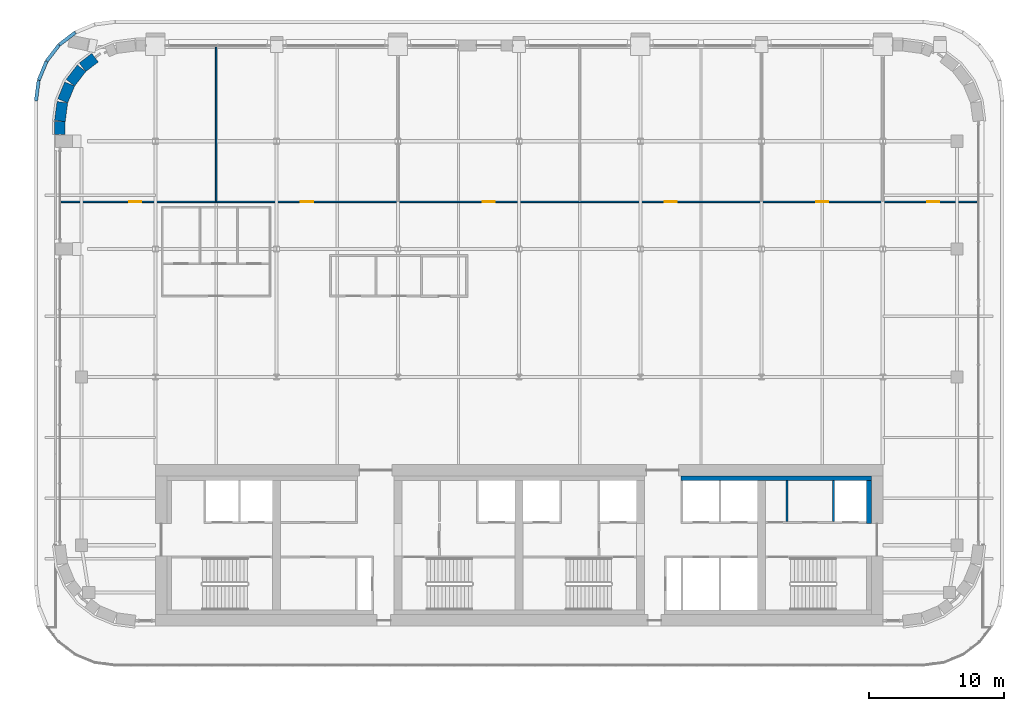
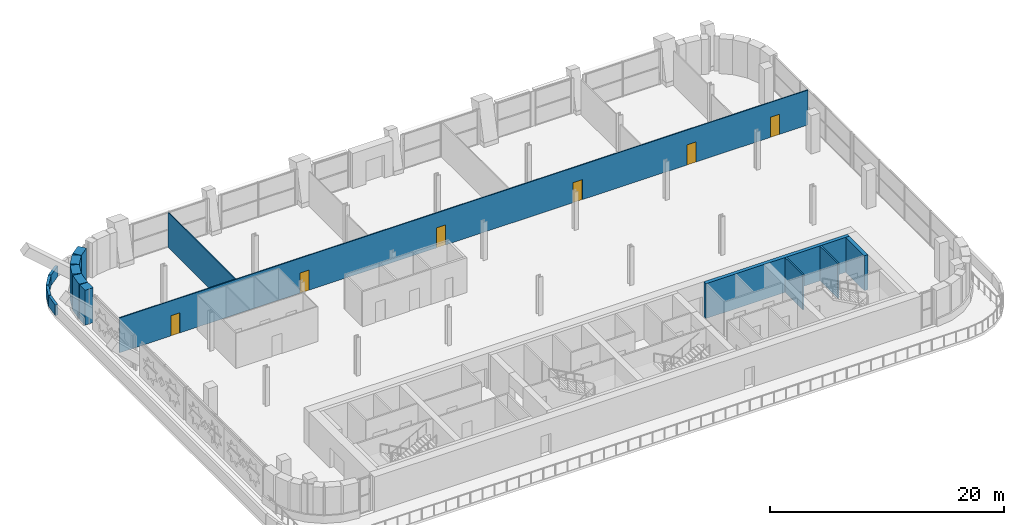
# One storey, part 15 of 23: 15 walls, 6 doors, 6 openings.
"""IFC4 building model written with IfcOpenShell, lengths in metres."""

import ifcopenshell
import ifcopenshell.guid

model = None  # the IFC model being written
_history = None  # IfcOwnerHistory: only IFC2X3 demands one
_inside = {}  # id of a spatial element -> (the spatial element, [elements in it])
_under = {}  # id of a project, library or spatial element -> (it, [spatial elements below it])
_declared = {}  # id of a project -> (the project, [libraries it declares])
_typed = {}  # id of a type object -> (the type object, [elements of that type])
_made_of = {}  # id of a material, layer set ... -> (it, [elements and type objects made of it])


def new_model(schema):
    """Start an empty IFC model of exactly this schema.

    Asked for "IFC4X3", IfcOpenShell would pick the latest addendum, in which some entities
    have other attributes; the version numbers below select the first issue.
    IFC2X3 requires an IfcOwnerHistory on every rooted entity: one is made here for all.
    """
    global model, _history
    if schema == "IFC4X3":
        model = ifcopenshell.file(schema_version=(4, 3, 0, 0))
    else:
        model = ifcopenshell.file(schema=schema)
    _inside.clear()
    _under.clear()
    _declared.clear()
    _typed.clear()
    _made_of.clear()
    _history = None
    if model.schema == "IFC2X3":
        org = make("IfcOrganization", Name="unknown")
        user = make(
            "IfcPersonAndOrganization",
            ThePerson=make("IfcPerson", FamilyName="unknown"),
            TheOrganization=org,
        )
        app = make(
            "IfcApplication",
            ApplicationDeveloper=org,
            Version="unknown",
            ApplicationFullName="unknown",
            ApplicationIdentifier="unknown",
        )
        _history = make(
            "IfcOwnerHistory",
            OwningUser=user,
            OwningApplication=app,
            ChangeAction="ADDED",
            CreationDate=0,
        )
    return model


def make(cls, **values):
    """One entity of the class cls with the attributes given. An attribute that is None is left unset."""
    return model.create_entity(
        cls, **{name: value for name, value in values.items() if value is not None}
    )


def rooted(cls, **values):
    """An entity with a GlobalId (a new one), such as an element, a storey or a relation."""
    return make(cls, GlobalId=ifcopenshell.guid.new(), OwnerHistory=_history, **values)


def si_unit(unit_type, name, prefix=None):
    """IfcSIUnit, for example si_unit("LENGTHUNIT", "METRE", prefix="MILLI")."""
    return make("IfcSIUnit", UnitType=unit_type, Prefix=prefix, Name=name)


def assignment(units):
    """IfcUnitAssignment: the units of a project."""
    return None if units is None else make("IfcUnitAssignment", Units=units)


def point(xyz):
    """IfcCartesianPoint."""
    return None if xyz is None else make("IfcCartesianPoint", Coordinates=xyz)


def direction(xyz):
    """IfcDirection."""
    return None if xyz is None else make("IfcDirection", DirectionRatios=xyz)


def frame(location, z_axis=None, x_axis=None):
    """IfcAxis2Placement3D, a coordinate frame: its origin and axes. An axis left out is left unset."""
    return make(
        "IfcAxis2Placement3D",
        Location=point(location),
        Axis=direction(z_axis),
        RefDirection=direction(x_axis),
    )


def frame_2d(location, x_axis=None):
    """IfcAxis2Placement2D, a coordinate frame in the plane: its origin and x axis."""
    return make(
        "IfcAxis2Placement2D", Location=point(location), RefDirection=direction(x_axis)
    )


def origin():
    """The frame at (0, 0, 0) with its axes left unset."""
    return frame((0.0, 0.0, 0.0))


def place(relative_to, where):
    """IfcLocalPlacement: puts the frame where relative to a parent placement (None: the world)."""
    return make(
        "IfcLocalPlacement", PlacementRelTo=relative_to, RelativePlacement=where
    )


def context(
    kind, dimensions, precision=None, world=None, true_north=None, identifier=None
):
    """IfcGeometricRepresentationContext, for example the 3D "Model" context."""
    return make(
        "IfcGeometricRepresentationContext",
        ContextIdentifier=identifier,
        ContextType=kind,
        CoordinateSpaceDimension=dimensions,
        Precision=precision,
        WorldCoordinateSystem=world,
        TrueNorth=true_north,
    )


def subcontext(parent, identifier, kind, view, scale=None):
    """IfcGeometricRepresentationSubContext, for example "Body" below "Model"."""
    return make(
        "IfcGeometricRepresentationSubContext",
        ContextIdentifier=identifier,
        ContextType=kind,
        ParentContext=parent,
        TargetScale=scale,
        TargetView=view,
    )


def project(units=None, contexts=None):
    """IfcProject with its units and contexts."""
    return rooted(
        "IfcProject",
        Name="project",
        RepresentationContexts=contexts,
        UnitsInContext=assignment(units),
    )


def spatial(cls, under=None, at=None, **own):
    """A site, building, storey or space (cls), placed at a placement, below another one or the project."""
    s = rooted(cls, ObjectPlacement=at, **own)
    if under is not None:
        _under.setdefault(under.id(), (under, []))[1].append(s)
    return s


def profile(cls, at=None, kind="AREA", **sizes):
    """A parametric profile (cls). Its sizes go by their IFC names, for example OverallWidth=200.0."""
    return make(cls, ProfileType=kind, Position=at, **sizes)


def rectangle(**sizes):
    """IfcRectangleProfileDef."""
    return profile("IfcRectangleProfileDef", **sizes)


def extrude(swept, where, along, depth):
    """IfcExtrudedAreaSolid: the profile swept, set in the frame where, extruded along a direction by depth."""
    return make(
        "IfcExtrudedAreaSolid",
        SweptArea=swept,
        Position=where,
        ExtrudedDirection=direction(along),
        Depth=depth,
    )


def shape(context_of_items, identifier, shape_type, items):
    """IfcShapeRepresentation: the items that make up one representation, for example the "Body"."""
    return make(
        "IfcShapeRepresentation",
        ContextOfItems=context_of_items,
        RepresentationIdentifier=identifier,
        RepresentationType=shape_type,
        Items=items,
    )


def material(Name=None, Category=None):
    """IfcMaterial."""
    return make("IfcMaterial", Name=Name, Category=Category)


def layer(
    of_material, thickness, ventilated=None, Name=None, Category=None, Priority=None
):
    """IfcMaterialLayer: one layer of a wall or slab, of a material (None: an air gap)."""
    return make(
        "IfcMaterialLayer",
        Material=of_material,
        LayerThickness=thickness,
        IsVentilated=ventilated,
        Name=Name,
        Category=Category,
        Priority=Priority,
    )


def layer_set(layers, Name=None):
    """IfcMaterialLayerSet."""
    return make("IfcMaterialLayerSet", MaterialLayers=layers, LayerSetName=Name)


def made_of(thing, what):
    """Note that an element or type object is made of a material, layer set ...; save() writes the relation."""
    if what is not None:
        _made_of.setdefault(what.id(), (what, []))[1].append(thing)
    return thing


def type_object(cls, material=None, **own):
    """A type object (cls), such as IfcWallType, which elements share."""
    return made_of(rooted(cls, **own), material)


def element(
    cls,
    number,
    at=None,
    inside=None,
    cuts=None,
    type_object=None,
    material=None,
    context=None,
    identifier="Body",
    shape_type=None,
    held_by="IfcProductDefinitionShape",
    body=None,
    shapes=None,
    **own,
):
    """One element of the class cls, such as IfcWall. Its Tag is "e" and its number.

    at: its placement. inside: the storey or other place that contains it. cuts: it is an
    opening in that element (IfcRelVoidsElement). A single representation is given by context,
    identifier, shape_type and body (its items); several are given by shapes. held_by: the class
    of the entity that holds the representations. save() writes the other relations.
    """
    e = rooted(cls, Tag="e%d" % number, ObjectPlacement=at, **own)
    if body is not None:
        shapes = [shape(context, identifier, shape_type, body)]
    if shapes is not None:
        e.Representation = make(held_by, Representations=shapes)
    if inside is not None:
        _inside.setdefault(inside.id(), (inside, []))[1].append(e)
    if cuts is not None:
        rooted(
            "IfcRelVoidsElement", RelatingBuildingElement=cuts, RelatedOpeningElement=e
        )
    if type_object is not None:
        _typed.setdefault(type_object.id(), (type_object, []))[1].append(e)
    return made_of(e, material)


def fill(opening, filler):
    """IfcRelFillsElement: the door or window that sits in an opening."""
    return rooted(
        "IfcRelFillsElement",
        RelatingOpeningElement=opening,
        RelatedBuildingElement=filler,
    )


def aggregate(whole, parts):
    """IfcRelAggregates: a whole, such as a stair, and the parts it consists of."""
    return rooted("IfcRelAggregates", RelatingObject=whole, RelatedObjects=parts)


def save(model, path):
    """Write the relations noted so far, then the file.

    IfcRelAggregates (storeys below a building ...), IfcRelContainedInSpatialStructure (elements
    in a storey), IfcRelDefinesByType, IfcRelAssociatesMaterial and IfcRelDeclares: one each for
    every whole, place, type object, material and project.
    """
    for whole, parts in _under.values():
        aggregate(whole, parts)
    for where, things in _inside.values():
        rooted(
            "IfcRelContainedInSpatialStructure",
            RelatedElements=things,
            RelatingStructure=where,
        )
    for kind, things in _typed.values():
        rooted("IfcRelDefinesByType", RelatedObjects=things, RelatingType=kind)
    for what, things in _made_of.values():
        rooted("IfcRelAssociatesMaterial", RelatedObjects=things, RelatingMaterial=what)
    for by, libraries in _declared.values():
        rooted("IfcRelDeclares", RelatingContext=by, RelatedDefinitions=libraries)
    model.write(path)


model = new_model("IFC4")

# Units and contexts
model_context = context("Model", 3, precision=1e-05, world=origin(), true_north=direction((0.0, 1.0)))
body_context = subcontext(model_context, "Body", "Model", "MODEL_VIEW")
ifc_project = project(units=[si_unit("LENGTHUNIT", "METRE"), si_unit("AREAUNIT", "SQUARE_METRE"), si_unit("VOLUMEUNIT", "CUBIC_METRE"), si_unit("PLANEANGLEUNIT", "RADIAN"), si_unit("MASSUNIT", "GRAM", prefix="KILO")], contexts=[model_context])

# Site, building, storey
site_placement = place(None, origin())
site = spatial("IfcSite", under=ifc_project, at=site_placement, CompositionType="ELEMENT")
building_placement = place(site_placement, origin())
building = spatial("IfcBuilding", under=site, at=building_placement, Name="Zellij Exchange Tower", CompositionType="ELEMENT")
storey_placement = place(building_placement, frame((0.0, 0.0, 212.5)))
storey = spatial("IfcBuildingStorey", under=building, at=storey_placement, Name="L49", CompositionType="ELEMENT", Elevation=212.5)

# Walls
ifc_material_1 = material(Name="Concrete C30/37", Category="concrete")
ifc_layer_1 = layer(ifc_material_1, 0.35009765625)
ifc_layer_set_1 = layer_set([ifc_layer_1], Name="Concrete C30/37")
wall_type_1 = type_object("IfcWallType", Name="CORE-LW 350 C30/37", PredefinedType="SHEAR", material=ifc_layer_set_1)
wall_1_placement = place(storey_placement, frame((12.0, -3.02490234375, 0.0), z_axis=(0.0, 0.0, 1.0), x_axis=(1.0, 0.0, 0.0)))
element("IfcWall", 1, at=wall_1_placement, inside=storey, type_object=wall_type_1, Name="Core wall lining front.2 L49", PredefinedType="SHEAR", context=body_context, shape_type="SweptSolid", body=[
    extrude(rectangle(XDim=14.14990234375, YDim=0.35009765625, at=frame_2d((7.074951171875, 0.0))), origin(), (0.0, 0.0, 1.0), 3.64990234375),
])
wall_2_placement = place(storey_placement, frame((25.97509765625, -6.375, 0.0), z_axis=(0.0, 0.0, 1.0), x_axis=(0.0, 1.0, 0.0)))
element("IfcWall", 2, at=wall_2_placement, inside=storey, type_object=wall_type_1, Name="Core wall lining end e.1 L49", PredefinedType="SHEAR", context=body_context, shape_type="SweptSolid", body=[
    extrude(rectangle(XDim=3.175048828125, YDim=0.35009765625, at=frame_2d((1.58740234375, 0.0))), origin(), (0.0, 0.0, 1.0), 3.64990234375),
])
ifc_material_2 = material(Name="Gypsum board partition")
ifc_layer_2 = layer(ifc_material_2, 0.14990234375)
ifc_layer_set_2 = layer_set([ifc_layer_2], Name="Gypsum board partition")
wall_type_2 = type_object("IfcWallType", Name="CORE-PW 150 Lift lobby wall", PredefinedType="PARTITIONING", material=ifc_layer_set_2)
wall_3_placement = place(storey_placement, frame((19.875, -6.22509765625, 0.0), z_axis=(0.0, 0.0, 1.0), x_axis=(0.0, 1.0, 0.0)))
element("IfcWall", 3, at=wall_3_placement, inside=storey, type_object=wall_type_2, Name="Lift lobby wall L49", PredefinedType="PARTITIONING", context=body_context, shape_type="SweptSolid", body=[
    extrude(rectangle(XDim=3.025146484375, YDim=0.14990234375, at=frame_2d((1.5126953125, 0.0))), origin(), (0.0, 0.0, 1.0), 3.64990234375),
])
ifc_material_3 = material(Name="Gypsum shaft wall system")
ifc_layer_3 = layer(ifc_material_3, 0.14990234375)
ifc_layer_set_3 = layer_set([ifc_layer_3], Name="Gypsum shaft wall system")
wall_type_3 = type_object("IfcWallType", Name="CORE-PW 150 Lift shaft wall", PredefinedType="PARTITIONING", material=ifc_layer_set_3)
wall_4_placement = place(storey_placement, frame((23.324951171875, -6.22509765625, 0.0), z_axis=(0.0, 0.0, 1.0), x_axis=(0.0, 1.0, 0.0)))
element("IfcWall", 4, at=wall_4_placement, inside=storey, type_object=wall_type_3, Name="Lift shaft wall L49", PredefinedType="PARTITIONING", context=body_context, shape_type="SweptSolid", body=[
    extrude(rectangle(XDim=3.025146484375, YDim=0.14990234375, at=frame_2d((1.5126953125, 0.0))), origin(), (0.0, 0.0, 1.0), 3.64990234375),
])
ifc_material_4 = material(Name="Precast concrete C40/50", Category="concrete")
ifc_layer_4 = layer(ifc_material_4, 0.800048828125)
ifc_layer_set_4 = layer_set([ifc_layer_4], Name="Precast concrete C40/50")
wall_type_4 = type_object("IfcWallType", Name="ENV-EW1 Precast stone-piered wall 800", PredefinedType="SOLIDWALL", material=ifc_layer_set_4)
wall_5_placement = place(storey_placement, frame((-31.486572265625, 28.2021484375, 0.0), z_axis=(0.0, 0.0, 1.0), x_axis=(-0.793321035123, -0.608803527611, 0.0)))
element("IfcWall", 5, at=wall_5_placement, inside=storey, type_object=wall_type_4, Name="fac.L49.17", PredefinedType="SOLIDWALL", context=body_context, shape_type="SweptSolid", body=[
    extrude(rectangle(XDim=1.1708984375, YDim=0.800048828125, at=frame_2d((0.58544921875, 0.0))), origin(), (0.0, 0.0, 1.0), 3.64990234375),
])
wall_6_placement = place(storey_placement, frame((-32.4892578125, 27.41552734375, 0.0), z_axis=(0.0, 0.0, 1.0), x_axis=(-0.608866226366, -0.793272915452, 0.0)))
element("IfcWall", 6, at=wall_6_placement, inside=storey, type_object=wall_type_4, Name="fac.L49.18", PredefinedType="SOLIDWALL", context=body_context, shape_type="SweptSolid", body=[
    extrude(rectangle(XDim=1.355712890625, YDim=0.800048828125, at=frame_2d((0.677734375, 0.0))), origin(), (0.0, 0.0, 1.0), 3.64990234375),
])
wall_7_placement = place(storey_placement, frame((-33.366943359375, 26.24951171875, 0.0), z_axis=(0.0, 0.0, 1.0), x_axis=(-0.38276009378, -0.923847774587, 0.0)))
element("IfcWall", 7, at=wall_7_placement, inside=storey, type_object=wall_type_4, Name="fac.L49.19", PredefinedType="SOLIDWALL", context=body_context, shape_type="SweptSolid", body=[
    extrude(rectangle(XDim=1.35546875, YDim=0.800048828125, at=frame_2d((0.677734375, 0.0))), origin(), (0.0, 0.0, 1.0), 3.64990234375),
])
wall_8_placement = place(storey_placement, frame((-33.912841796875, 24.896240234375, 0.0), z_axis=(0.0, 0.0, 1.0), x_axis=(-0.130517283865, -0.99144603414, 0.0)))
element("IfcWall", 8, at=wall_8_placement, inside=storey, type_object=wall_type_4, Name="fac.L49.20", PredefinedType="SOLIDWALL", context=body_context, shape_type="SweptSolid", body=[
    extrude(rectangle(XDim=1.408447265625, YDim=0.800048828125, at=frame_2d((0.7041015625, 0.0))), origin(), (0.0, 0.0, 1.0), 3.64990234375),
])
wall_9_placement = place(storey_placement, frame((-34.10009765625, 23.447509765625, 0.0), z_axis=(0.0, 0.0, 1.0), x_axis=(0.0, -1.0, 0.0)))
element("IfcWall", 9, at=wall_9_placement, inside=storey, type_object=wall_type_4, Name="fac.L49.21a", PredefinedType="SOLIDWALL", context=body_context, shape_type="SweptSolid", body=[
    extrude(rectangle(XDim=0.947509765625, YDim=0.800048828125, at=frame_2d((0.4736328125, 0.0))), origin(), (0.0, 0.0, 1.0), 3.64990234375),
])
ifc_layer_5 = layer(ifc_material_4, 0.25)
ifc_layer_set_5 = layer_set([ifc_layer_5], Name="Precast concrete C40/50")
wall_type_5 = type_object("IfcWallType", Name="ENV-PR1 Parapet 250", PredefinedType="PARAPET", material=ifc_layer_set_5)
for number, where, z_axis, x_axis, name in (
    (10, (-32.949951171875, 30.076904296875, 0.0), (0.0, 0.0, 1.0), (-0.793391561776, -0.608711614562, 0.0), "fac.par.L49.02.01.13"),
    (11, (-34.16357421875, 29.140380859375, 0.0), (0.0, 0.0, 1.0), (-0.608711614562, -0.793391561776, 0.0), "fac.par.L49.02.01.14"),
    (12, (-35.09326171875, 27.921630859375, 0.0), (0.0, 0.0, 1.0), (-0.382696680739, -0.923874044744, 0.0), "fac.par.L49.02.01.15"),
):
    element("IfcWall", number, at=place(storey_placement, frame(where, z_axis=z_axis, x_axis=x_axis)), inside=storey, type_object=wall_type_5, Name=name, PredefinedType="PARAPET", context=body_context, shape_type="SweptSolid", body=[
        extrude(rectangle(XDim=1.50048828125, YDim=0.25, at=frame_2d((0.750244140625, 0.0))), origin(), (0.0, 0.0, 1.0), 1.10009765625),
    ])
wall_10_placement = place(storey_placement, frame((-35.676025390625, 26.50390625, 0.0), z_axis=(0.0, 0.0, 1.0), x_axis=(-0.130371242108, -0.991465248625, 0.0)))
element("IfcWall", 13, at=wall_10_placement, inside=storey, type_object=wall_type_5, Name="fac.par.L49.02.01.16", PredefinedType="PARAPET", context=body_context, shape_type="SweptSolid", body=[
    extrude(rectangle(XDim=1.516845703125, YDim=0.25, at=frame_2d((0.75830078125, 0.0))), origin(), (0.0, 0.0, 1.0), 1.10009765625),
])

# Wall, openings, doors
ifc_material_5 = material(Name="Gypsum board partition on steel studs", Category="steel")
ifc_layer_6 = layer(ifc_material_5, 0.10009765625)
ifc_layer_set_6 = layer_set([ifc_layer_6], Name="Gypsum board partition on steel studs")
wall_type_6 = type_object("IfcWallType", Name="FIT-PARTITION-100", PredefinedType="PARTITIONING", material=ifc_layer_set_6)
wall_11_placement = place(storey_placement, frame((-33.99609375, 17.5, 0.0), z_axis=(0.0, 0.0, 1.0), x_axis=(1.0, 0.0, 0.0)))
wall_11 = element("IfcWall", 14, at=wall_11_placement, inside=storey, type_object=wall_type_6, Name="FIT-PARTITION-100 016", PredefinedType="PARTITIONING", context=body_context, shape_type="SweptSolid", body=[
    extrude(rectangle(XDim=67.9921875, YDim=0.10009765625, at=frame_2d((33.99609375, 0.0))), origin(), (0.0, 0.0, 1.0), 3.64990234375),
])
opening_1_placement = place(wall_11_placement, frame((5.0458984375, 0.0, 0.0)))
opening_1 = element("IfcOpeningElement", 15, at=opening_1_placement, cuts=wall_11, Name="Opening SL49.08", PredefinedType="OPENING", context=body_context, shape_type="SweptSolid", body=[
    extrude(rectangle(XDim=0.89990234375, YDim=2.10009765625, at=frame_2d((0.449951171875, 1.050048828125))), frame((0.0, 0.06201171875, 0.0), z_axis=(0.0, -1.0, 0.0), x_axis=(1.0, 0.0, 0.0)), (0.0, 0.0, 1.0), 0.1240234375),
])
opening_2_placement = place(wall_11_placement, frame((17.7958984375, 0.0, 0.0)))
opening_2 = element("IfcOpeningElement", 16, at=opening_2_placement, cuts=wall_11, Name="Opening SL49.09", PredefinedType="OPENING", context=body_context, shape_type="SweptSolid", body=[
    extrude(rectangle(XDim=0.89990234375, YDim=2.10009765625, at=frame_2d((0.449951171875, 1.050048828125))), frame((0.0, 0.06201171875, 0.0), z_axis=(0.0, -1.0, 0.0), x_axis=(1.0, 0.0, 0.0)), (0.0, 0.0, 1.0), 0.1240234375),
])
opening_3_placement = place(wall_11_placement, frame((31.2958984375, 0.0, 0.0)))
opening_3 = element("IfcOpeningElement", 17, at=opening_3_placement, cuts=wall_11, Name="Opening SL49.10", PredefinedType="OPENING", context=body_context, shape_type="SweptSolid", body=[
    extrude(rectangle(XDim=0.89990234375, YDim=2.10009765625, at=frame_2d((0.449951171875, 1.050048828125))), frame((0.0, 0.06201171875, 0.0), z_axis=(0.0, -1.0, 0.0), x_axis=(1.0, 0.0, 0.0)), (0.0, 0.0, 1.0), 0.1240234375),
])
opening_4_placement = place(wall_11_placement, frame((44.7958984375, 0.0, 0.0)))
opening_4 = element("IfcOpeningElement", 18, at=opening_4_placement, cuts=wall_11, Name="Opening SL49.11", PredefinedType="OPENING", context=body_context, shape_type="SweptSolid", body=[
    extrude(rectangle(XDim=0.89990234375, YDim=2.10009765625, at=frame_2d((0.449951171875, 1.050048828125))), frame((0.0, 0.06201171875, 0.0), z_axis=(0.0, -1.0, 0.0), x_axis=(1.0, 0.0, 0.0)), (0.0, 0.0, 1.0), 0.1240234375),
])
opening_5_placement = place(wall_11_placement, frame((56.0458984375, 0.0, 0.0)))
opening_5 = element("IfcOpeningElement", 19, at=opening_5_placement, cuts=wall_11, Name="Opening SL49.12", PredefinedType="OPENING", context=body_context, shape_type="SweptSolid", body=[
    extrude(rectangle(XDim=0.89990234375, YDim=2.10009765625, at=frame_2d((0.449951171875, 1.050048828125))), frame((0.0, 0.06201171875, 0.0), z_axis=(0.0, -1.0, 0.0), x_axis=(1.0, 0.0, 0.0)), (0.0, 0.0, 1.0), 0.1240234375),
])
opening_6_placement = place(wall_11_placement, frame((64.2958984375, 0.0, 0.0)))
opening_6 = element("IfcOpeningElement", 20, at=opening_6_placement, cuts=wall_11, Name="Opening SL49.13", PredefinedType="OPENING", context=body_context, shape_type="SweptSolid", body=[
    extrude(rectangle(XDim=0.89990234375, YDim=2.10009765625, at=frame_2d((0.449951171875, 1.050048828125))), frame((0.0, 0.06201171875, 0.0), z_axis=(0.0, -1.0, 0.0), x_axis=(1.0, 0.0, 0.0)), (0.0, 0.0, 1.0), 0.1240234375),
])
ifc_material_6 = material(Name="Timber door set", Category="wood")
door_type = type_object("IfcDoorType", Name="FIT-D1-ROOM-900X2100", OperationType="SINGLE_SWING_LEFT", PredefinedType="DOOR", material=ifc_material_6)
door_1_placement = place(opening_1_placement, origin())
door_1 = element("IfcDoor", 21, at=door_1_placement, inside=storey, type_object=door_type, Name="Door SL49.08", OperationType="SINGLE_SWING_RIGHT", OverallHeight=2.10009765625, OverallWidth=0.89990234375, PredefinedType="DOOR", context=body_context, shape_type="SweptSolid", body=[
    extrude(rectangle(XDim=0.89990234375, YDim=2.10009765625, at=frame_2d((0.449951171875, 1.050048828125))), frame((0.0, 0.02490234375, 0.0), z_axis=(0.0, -1.0, 0.0), x_axis=(1.0, 0.0, 0.0)), (0.0, 0.0, 1.0), 0.050048828125),
])
fill(opening_1, door_1)
door_2_placement = place(opening_2_placement, origin())
door_2 = element("IfcDoor", 22, at=door_2_placement, inside=storey, type_object=door_type, Name="Door SL49.09", OperationType="SINGLE_SWING_RIGHT", OverallHeight=2.10009765625, OverallWidth=0.89990234375, PredefinedType="DOOR", context=body_context, shape_type="SweptSolid", body=[
    extrude(rectangle(XDim=0.89990234375, YDim=2.10009765625, at=frame_2d((0.449951171875, 1.050048828125))), frame((0.0, 0.02490234375, 0.0), z_axis=(0.0, -1.0, 0.0), x_axis=(1.0, 0.0, 0.0)), (0.0, 0.0, 1.0), 0.050048828125),
])
fill(opening_2, door_2)
door_3_placement = place(opening_3_placement, origin())
door_3 = element("IfcDoor", 23, at=door_3_placement, inside=storey, type_object=door_type, Name="Door SL49.10", OperationType="SINGLE_SWING_RIGHT", OverallHeight=2.10009765625, OverallWidth=0.89990234375, PredefinedType="DOOR", context=body_context, shape_type="SweptSolid", body=[
    extrude(rectangle(XDim=0.89990234375, YDim=2.10009765625, at=frame_2d((0.449951171875, 1.050048828125))), frame((0.0, 0.02490234375, 0.0), z_axis=(0.0, -1.0, 0.0), x_axis=(1.0, 0.0, 0.0)), (0.0, 0.0, 1.0), 0.050048828125),
])
fill(opening_3, door_3)
door_4_placement = place(opening_4_placement, origin())
door_4 = element("IfcDoor", 24, at=door_4_placement, inside=storey, type_object=door_type, Name="Door SL49.11", OperationType="SINGLE_SWING_RIGHT", OverallHeight=2.10009765625, OverallWidth=0.89990234375, PredefinedType="DOOR", context=body_context, shape_type="SweptSolid", body=[
    extrude(rectangle(XDim=0.89990234375, YDim=2.10009765625, at=frame_2d((0.449951171875, 1.050048828125))), frame((0.0, 0.02490234375, 0.0), z_axis=(0.0, -1.0, 0.0), x_axis=(1.0, 0.0, 0.0)), (0.0, 0.0, 1.0), 0.050048828125),
])
fill(opening_4, door_4)
door_5_placement = place(opening_5_placement, origin())
door_5 = element("IfcDoor", 25, at=door_5_placement, inside=storey, type_object=door_type, Name="Door SL49.12", OperationType="SINGLE_SWING_RIGHT", OverallHeight=2.10009765625, OverallWidth=0.89990234375, PredefinedType="DOOR", context=body_context, shape_type="SweptSolid", body=[
    extrude(rectangle(XDim=0.89990234375, YDim=2.10009765625, at=frame_2d((0.449951171875, 1.050048828125))), frame((0.0, 0.02490234375, 0.0), z_axis=(0.0, -1.0, 0.0), x_axis=(1.0, 0.0, 0.0)), (0.0, 0.0, 1.0), 0.050048828125),
])
fill(opening_5, door_5)
door_6_placement = place(opening_6_placement, origin())
door_6 = element("IfcDoor", 26, at=door_6_placement, inside=storey, type_object=door_type, Name="Door SL49.13", OperationType="SINGLE_SWING_LEFT", OverallHeight=2.10009765625, OverallWidth=0.89990234375, PredefinedType="DOOR", context=body_context, shape_type="SweptSolid", body=[
    extrude(rectangle(XDim=0.89990234375, YDim=2.10009765625, at=frame_2d((0.449951171875, 1.050048828125))), frame((0.0, 0.02490234375, 0.0), z_axis=(0.0, -1.0, 0.0), x_axis=(1.0, 0.0, 0.0)), (0.0, 0.0, 1.0), 0.050048828125),
])
fill(opening_6, door_6)

# Wall
wall_12_placement = place(storey_placement, frame((-22.5, 17.550048828125, 0.0), z_axis=(0.0, 0.0, 1.0), x_axis=(0.0, 1.0, 0.0)))
element("IfcWall", 27, at=wall_12_placement, inside=storey, type_object=wall_type_6, Name="FIT-PARTITION-100 017", PredefinedType="PARTITIONING", context=body_context, shape_type="SweptSolid", body=[
    extrude(rectangle(XDim=11.446044921875, YDim=0.10009765625, at=frame_2d((5.72314453125, 0.0))), origin(), (0.0, 0.0, 1.0), 3.64990234375),
])

save(model, "model.ifc")
